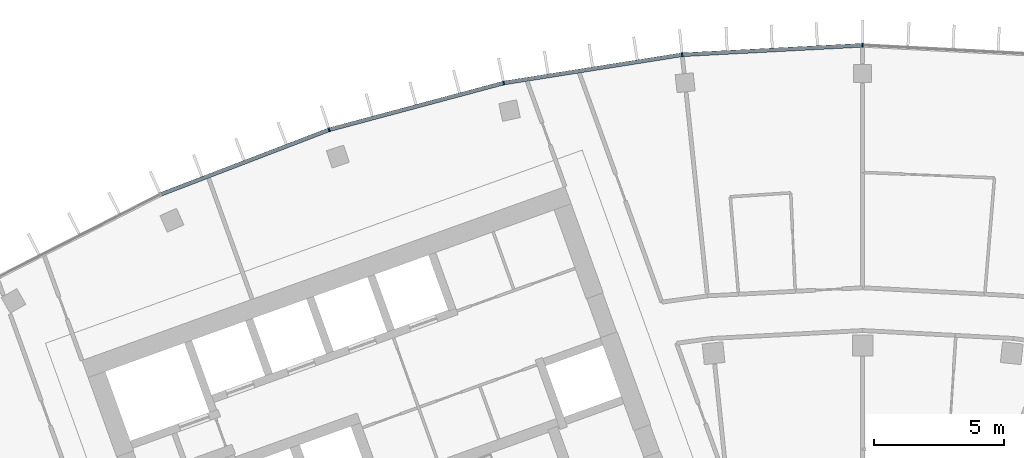
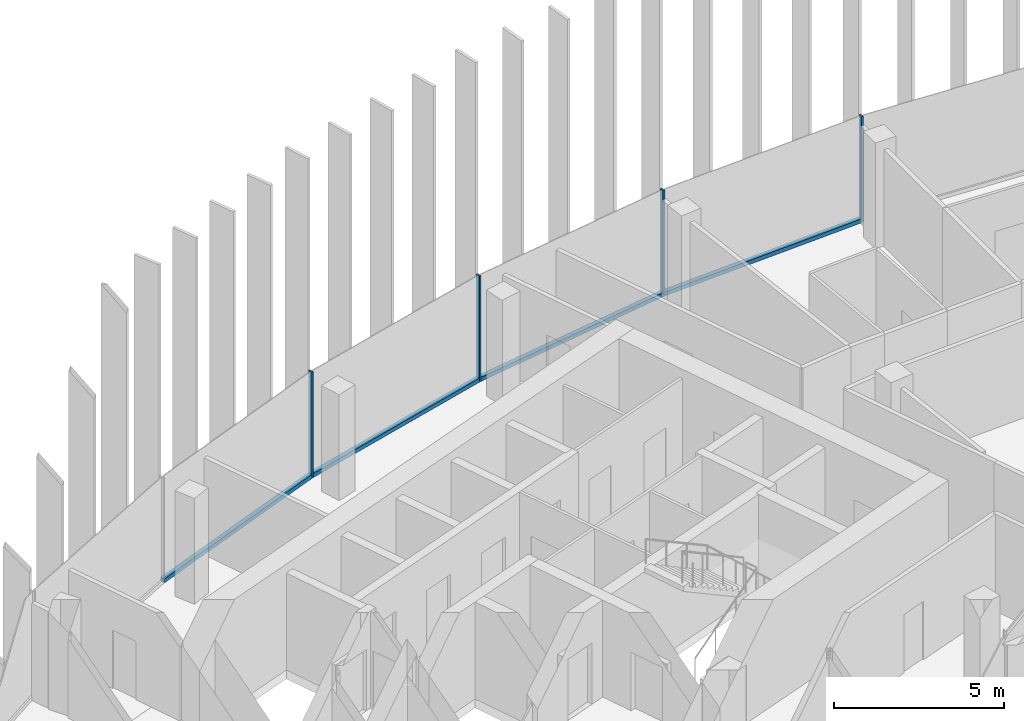
# One storey, part 6 of 19: 8 members, 1 element without a shape of its own.
"""IFC4 building model written with IfcOpenShell, lengths in metres."""

from ifc_helpers import new_model, si_unit, direction, frame, origin, origin_2d, place, context, subcontext, project, spatial, rectangle, extrude, material, layer, layer_set, material_profile, profile_set, type_object, element, aggregate, save


model = new_model("IFC4")

# Units and contexts
model_context = context("Model", 3, precision=1e-05, world=origin(), true_north=direction((0.0, 1.0)))
body_context = subcontext(model_context, "Body", "Model", "MODEL_VIEW")
ifc_project = project(units=[si_unit("LENGTHUNIT", "METRE"), si_unit("AREAUNIT", "SQUARE_METRE"), si_unit("VOLUMEUNIT", "CUBIC_METRE"), si_unit("PLANEANGLEUNIT", "RADIAN"), si_unit("MASSUNIT", "GRAM", prefix="KILO")], contexts=[model_context])

# Site, building, storey
site_placement = place(None, origin())
site = spatial("IfcSite", under=ifc_project, at=site_placement, CompositionType="ELEMENT")
building_placement = place(site_placement, origin())
building = spatial("IfcBuilding", under=site, at=building_placement, Name="Stone Belt Terrace Tower", CompositionType="ELEMENT")
storey_placement = place(building_placement, frame((0.0, 0.0, 292.199951171875)))
storey = spatial("IfcBuildingStorey", under=building, at=storey_placement, Name="L71", CompositionType="ELEMENT", Elevation=292.199951171875)

# Curtain wall, members
ifc_material = material(Name="Aluminium 6063-T6 anodised frame", Category="aluminium")
ifc_layer = layer(ifc_material, 0.14990234375)
ifc_layer_set = layer_set([ifc_layer], Name="CW-A unitised convex-face curtain wall")
curtain_wall_type = type_object("IfcCurtainWallType", Name="CW-A unitised convex-face curtain wall", PredefinedType="NOTDEFINED", material=ifc_layer_set)
curtain_wall_placement = place(storey_placement, origin())
curtain_wall = element("IfcCurtainWall", 1, at=curtain_wall_placement, inside=storey, type_object=curtain_wall_type, Name="CW-A convex face L71", PredefinedType="NOTDEFINED")
ifc_material_profile_1 = material_profile(ifc_material, rectangle(XDim=0.14990234375, YDim=0.06005859375, at=origin_2d()), Name="Aluminium 6063-T6 60x150")
ifc_profile_set_1 = profile_set([ifc_material_profile_1], Name="Aluminium 6063-T6 anodised frame")
member_type_1 = type_object("IfcMemberType", Name="CW-A mullion 60 x 150", PredefinedType="MULLION", material=ifc_profile_set_1)
member_1_placement = place(storey_placement, frame((0.0, 66.5751953125, 0.0), z_axis=(0.0, 0.0, 1.0), x_axis=(0.0, -1.0, 0.0)))
member_1 = element("IfcMember", 2, at=member_1_placement, type_object=member_type_1, Name="CW-A mullion 8", PredefinedType="MULLION", context=body_context, shape_type="SweptSolid", body=[
    extrude(rectangle(XDim=0.14990234375, YDim=0.06005859375, at=origin_2d()), origin(), (0.0, 0.0, 1.0), 3.800048828125),
])
member_2_placement = place(storey_placement, frame((-6.958984375, 66.21044921875, 0.0), z_axis=(0.0, 0.0, 1.0), x_axis=(0.104528463268, -0.994521895368, 0.0)))
member_2 = element("IfcMember", 3, at=member_2_placement, type_object=member_type_1, Name="CW-A mullion 9", PredefinedType="MULLION", context=body_context, shape_type="SweptSolid", body=[
    extrude(rectangle(XDim=0.14990234375, YDim=0.06005859375, at=origin_2d()), origin(), (0.0, 0.0, 1.0), 3.800048828125),
])
member_3_placement = place(storey_placement, frame((-13.841796875, 65.120361328125, 0.0), z_axis=(0.0, 0.0, 1.0), x_axis=(0.207911690818, -0.978147600734, 0.0)))
member_3 = element("IfcMember", 4, at=member_3_placement, type_object=member_type_1, Name="CW-A mullion 10", PredefinedType="MULLION", context=body_context, shape_type="SweptSolid", body=[
    extrude(rectangle(XDim=0.14990234375, YDim=0.06005859375, at=origin_2d()), origin(), (0.0, 0.0, 1.0), 3.800048828125),
])
member_4_placement = place(storey_placement, frame((-20.57275390625, 63.316650390625, 0.0), z_axis=(0.0, 0.0, 1.0), x_axis=(0.309016994375, -0.951056516295, 0.0)))
member_4 = element("IfcMember", 5, at=member_4_placement, type_object=member_type_1, Name="CW-A mullion 11", PredefinedType="MULLION", context=body_context, shape_type="SweptSolid", body=[
    extrude(rectangle(XDim=0.14990234375, YDim=0.06005859375, at=origin_2d()), origin(), (0.0, 0.0, 1.0), 3.800048828125),
])
ifc_material_profile_2 = material_profile(ifc_material, rectangle(XDim=0.14990234375, YDim=0.139892578125, at=origin_2d()), Name="Aluminium 6063-T6 150x140")
ifc_profile_set_2 = profile_set([ifc_material_profile_2], Name="Aluminium 6063-T6 anodised frame")
member_type_2 = type_object("IfcMemberType", Name="CW-A transom 140 x 150", PredefinedType="USERDEFINED", material=ifc_profile_set_2)
member_5_placement = place(storey_placement, frame((-0.033935546875, 66.5732421875, 0.070068359375), z_axis=(-0.998630019135, -0.052326712899, 0.0), x_axis=(0.052326712899, -0.998630019135, 0.0)))
member_5 = element("IfcMember", 6, at=member_5_placement, type_object=member_type_2, Name="CW-A transom 8.1", ObjectType="TRANSOM", PredefinedType="USERDEFINED", context=body_context, shape_type="SweptSolid", body=[
    extrude(rectangle(XDim=0.14990234375, YDim=0.139892578125, at=origin_2d()), origin(), (0.0, 0.0, 1.0), 6.900634765625),
])
member_6_placement = place(storey_placement, frame((-6.992431640625, 66.205078125, 0.070068359375), z_axis=(-0.987687120531, -0.156442168027, 0.0), x_axis=(0.156442168027, -0.987687120531, 0.0)))
member_6 = element("IfcMember", 7, at=member_6_placement, type_object=member_type_2, Name="CW-A transom 9.1", ObjectType="TRANSOM", PredefinedType="USERDEFINED", context=body_context, shape_type="SweptSolid", body=[
    extrude(rectangle(XDim=0.14990234375, YDim=0.139892578125, at=origin_2d()), origin(), (0.0, 0.0, 1.0), 6.90087890625),
])
member_7_placement = place(storey_placement, frame((-13.87451171875, 65.111572265625, 0.070068359375), z_axis=(-0.965921835863, -0.258833937117, 0.0), x_axis=(0.258833937117, -0.965921835863, 0.0)))
member_7 = element("IfcMember", 8, at=member_7_placement, type_object=member_type_2, Name="CW-A transom 10.1", ObjectType="TRANSOM", PredefinedType="USERDEFINED", context=body_context, shape_type="SweptSolid", body=[
    extrude(rectangle(XDim=0.14990234375, YDim=0.139892578125, at=origin_2d()), origin(), (0.0, 0.0, 1.0), 6.900634765625),
])
member_8_placement = place(storey_placement, frame((-20.6044921875, 63.304443359375, 0.070068359375), z_axis=(-0.933585210269, -0.358355487146, 0.0), x_axis=(0.358355487146, -0.933585210269, 0.0)))
member_8 = element("IfcMember", 9, at=member_8_placement, type_object=member_type_2, Name="CW-A transom 11.1", ObjectType="TRANSOM", PredefinedType="USERDEFINED", context=body_context, shape_type="SweptSolid", body=[
    extrude(rectangle(XDim=0.14990234375, YDim=0.139892578125, at=origin_2d()), origin(), (0.0, 0.0, 1.0), 6.900634765625),
])
aggregate(curtain_wall, [member_1, member_2, member_3, member_4, member_5, member_6, member_7, member_8])

save(model, "model.ifc")
